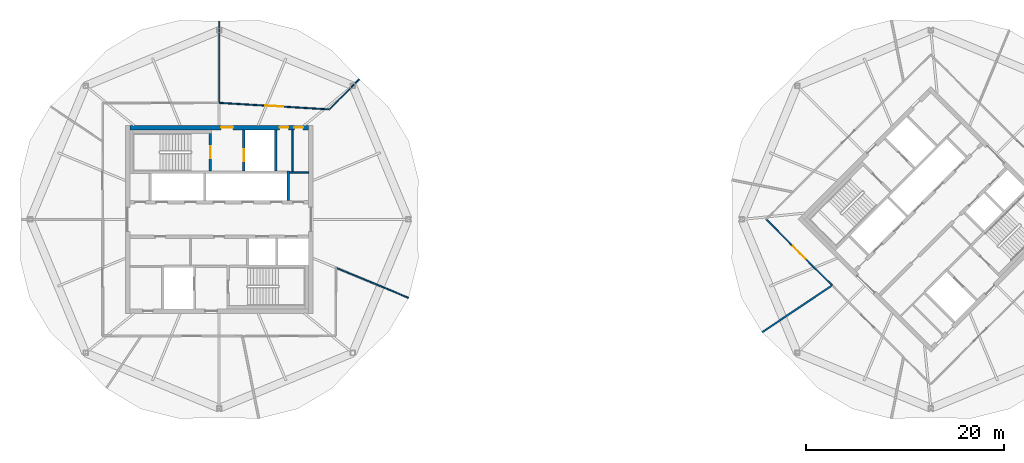
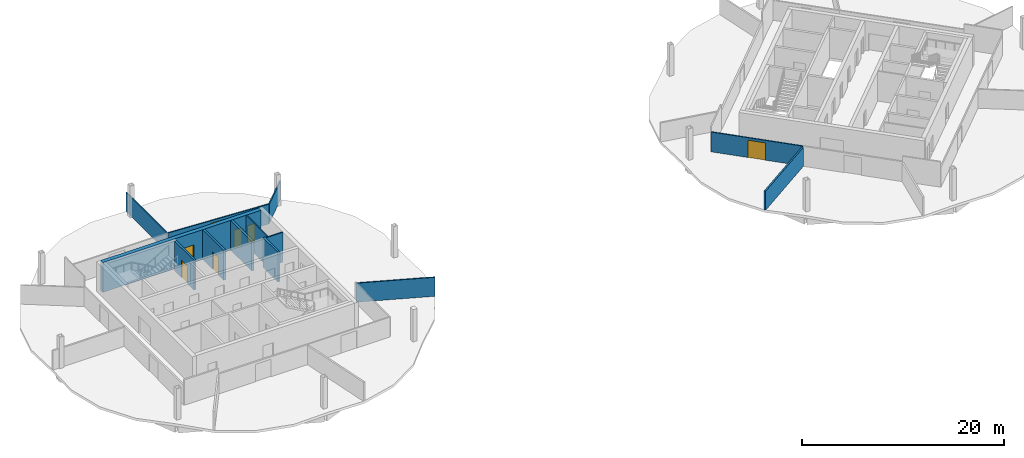
# One storey, part 6 of 10: 13 walls, 7 doors, 7 openings.
"""IFC4 building model written with IfcOpenShell, lengths in metres."""

from ifc_helpers import new_model, si_unit, direction, frame, frame_2d, origin, place, context, subcontext, project, spatial, rectangle, extrude, material, layer, layer_set, type_object, element, fill, save


model = new_model("IFC4")

# Units and contexts
model_context = context("Model", 3, precision=1e-05, world=origin(), true_north=direction((0.0, 1.0)))
body_context = subcontext(model_context, "Body", "Model", "MODEL_VIEW")
ifc_project = project(units=[si_unit("LENGTHUNIT", "METRE"), si_unit("AREAUNIT", "SQUARE_METRE"), si_unit("VOLUMEUNIT", "CUBIC_METRE"), si_unit("PLANEANGLEUNIT", "RADIAN"), si_unit("MASSUNIT", "GRAM", prefix="KILO")], contexts=[model_context])

# Site, building, storey
site_placement = place(None, origin())
site = spatial("IfcSite", under=ifc_project, at=site_placement, CompositionType="ELEMENT")
building_placement = place(site_placement, origin())
building = spatial("IfcBuilding", under=site, at=building_placement, Name="Ogive Gate Towers", CompositionType="ELEMENT")
storey_placement = place(building_placement, frame((0.0, 0.0, 236.699951171875)))
storey = spatial("IfcBuildingStorey", under=building, at=storey_placement, Name="L56", CompositionType="ELEMENT", Elevation=236.699951171875)

# Wall
ifc_material_1 = material(Name="Gypsum board acoustic partition")
ifc_layer_1 = layer(ifc_material_1, 0.175048828125)
ifc_layer_set_1 = layer_set([ifc_layer_1], Name="Acoustic partition 175")
wall_type_1 = type_object("IfcWallType", Name="Acoustic partition 175", PredefinedType="PARTITIONING", material=ifc_layer_set_1)
wall_1_placement = place(storey_placement, frame((18.918701171875, -11.424072265625, 0.0), z_axis=(0.0, 0.0, 1.0), x_axis=(0.831218279954, 0.555946194402, 0.0)))
element("IfcWall", 1, at=wall_1_placement, inside=storey, type_object=wall_type_1, Name="Partition T2-L56-005", PredefinedType="PARTITIONING", context=body_context, shape_type="SweptSolid", body=[
    extrude(rectangle(XDim=8.451416015625, YDim=0.175048828125, at=frame_2d((4.2255859375, 0.0))), origin(), (0.0, 0.0, 1.0), 2.300048828125),
])

# Wall, openings, doors
ifc_material_2 = material(Name="Concrete C60/75", Category="concrete")
ifc_layer_2 = layer(ifc_material_2, 0.449951171875)
ifc_layer_set_2 = layer_set([ifc_layer_2], Name="Core wall 450 mm")
wall_type_2 = type_object("IfcWallType", Name="Core wall 450 mm", PredefinedType="SHEAR", material=ifc_layer_set_2)
wall_2_placement = place(storey_placement, frame((-45.050048828125, 9.27490234375, 0.0), z_axis=(0.0, 0.0, 1.0), x_axis=(1.0, 0.0, 0.0)))
wall_2 = element("IfcWall", 2, at=wall_2_placement, inside=storey, type_object=wall_type_2, Name="T1 L56 Core wall 450 mm", PredefinedType="SHEAR", context=body_context, shape_type="SweptSolid", body=[
    extrude(rectangle(XDim=18.10009765625, YDim=0.449951171875, at=frame_2d((9.050048828125, 0.0))), origin(), (0.0, 0.0, 1.0), 3.60009765625),
])
opening_1_placement = place(wall_2_placement, frame((9.25, 0.0, 0.0)))
opening_1 = element("IfcOpeningElement", 3, at=opening_1_placement, cuts=wall_2, Name="Opening KD-T1-L56-18", PredefinedType="OPENING", context=body_context, shape_type="SweptSolid", body=[
    extrude(rectangle(XDim=1.199951171875, YDim=2.10009765625, at=frame_2d((0.60009765625, 1.050048828125))), frame((0.0, 0.23486328125, 0.0), z_axis=(0.0, -1.0, 0.0), x_axis=(1.0, 0.0, 0.0)), (0.0, 0.0, 1.0), 0.469970703125),
])
opening_2_placement = place(wall_2_placement, frame((15.14990234375, 0.0, 0.0)))
opening_2 = element("IfcOpeningElement", 4, at=opening_2_placement, cuts=wall_2, Name="Opening KD-T1-L56-20", PredefinedType="OPENING", context=body_context, shape_type="SweptSolid", body=[
    extrude(rectangle(XDim=0.89990234375, YDim=2.10009765625, at=frame_2d((0.449951171875, 1.050048828125))), frame((0.0, 0.23486328125, 0.0), z_axis=(0.0, -1.0, 0.0), x_axis=(1.0, 0.0, 0.0)), (0.0, 0.0, 1.0), 0.469970703125),
])
opening_3_placement = place(wall_2_placement, frame((16.64990234375, 0.0, 0.0)))
opening_3 = element("IfcOpeningElement", 5, at=opening_3_placement, cuts=wall_2, Name="Opening KD-T1-L56-21", PredefinedType="OPENING", context=body_context, shape_type="SweptSolid", body=[
    extrude(rectangle(XDim=0.89990234375, YDim=2.10009765625, at=frame_2d((0.449951171875, 1.050048828125))), frame((0.0, 0.23486328125, 0.0), z_axis=(0.0, -1.0, 0.0), x_axis=(1.0, 0.0, 0.0)), (0.0, 0.0, 1.0), 0.469970703125),
])
ifc_material_3 = material(Name="Timber door", Category="wood")
door_type_1 = type_object("IfcDoorType", Name="Core WC door 900 x 2100", OperationType="NOTDEFINED", PredefinedType="DOOR", material=ifc_material_3)
door_1_placement = place(opening_2_placement, origin())
door_1 = element("IfcDoor", 6, at=door_1_placement, inside=storey, type_object=door_type_1, Name="T1 L56 Core door", OperationType="SINGLE_SWING_LEFT", OverallHeight=2.10009765625, OverallWidth=0.89990234375, PredefinedType="DOOR", context=body_context, shape_type="SweptSolid", body=[
    extrude(rectangle(XDim=0.89990234375, YDim=2.10009765625, at=frame_2d((0.449951171875, 1.050048828125))), frame((0.0, 0.02490234375, 0.0), z_axis=(0.0, -1.0, 0.0), x_axis=(1.0, 0.0, 0.0)), (0.0, 0.0, 1.0), 0.050048828125),
])
fill(opening_2, door_1)
door_2_placement = place(opening_3_placement, origin())
door_2 = element("IfcDoor", 7, at=door_2_placement, inside=storey, type_object=door_type_1, Name="T1 L56 Core door", OperationType="SINGLE_SWING_RIGHT", OverallHeight=2.10009765625, OverallWidth=0.89990234375, PredefinedType="DOOR", context=body_context, shape_type="SweptSolid", body=[
    extrude(rectangle(XDim=0.89990234375, YDim=2.10009765625, at=frame_2d((0.449951171875, 1.050048828125))), frame((0.0, 0.02490234375, 0.0), z_axis=(0.0, -1.0, 0.0), x_axis=(1.0, 0.0, 0.0)), (0.0, 0.0, 1.0), 0.050048828125),
])
fill(opening_3, door_2)
ifc_material_4 = material(Name="Steel fire door", Category="steel")
door_type_2 = type_object("IfcDoorType", Name="Core door FD60S 1200 x 2100", OperationType="NOTDEFINED", PredefinedType="DOOR", material=ifc_material_4)
door_3_placement = place(opening_1_placement, origin())
door_3 = element("IfcDoor", 8, at=door_3_placement, inside=storey, type_object=door_type_2, Name="T1 L56 Fire-fighting lobby door", OperationType="SINGLE_SWING_LEFT", OverallHeight=2.10009765625, OverallWidth=1.199951171875, PredefinedType="DOOR", context=body_context, shape_type="SweptSolid", body=[
    extrude(rectangle(XDim=1.199951171875, YDim=2.10009765625, at=frame_2d((0.60009765625, 1.050048828125))), frame((0.0, 0.02490234375, 0.0), z_axis=(0.0, -1.0, 0.0), x_axis=(1.0, 0.0, 0.0)), (0.0, 0.0, 1.0), 0.050048828125),
])
fill(opening_1, door_3)

# Walls
ifc_material_5 = material(Name="Gypsum board partition")
ifc_layer_3 = layer(ifc_material_5, 0.125)
ifc_layer_set_3 = layer_set([ifc_layer_3], Name="Partition 125")
wall_type_3 = type_object("IfcWallType", Name="Partition 125", PredefinedType="PARTITIONING", material=ifc_layer_set_3)
wall_3_placement = place(storey_placement, frame((-21.8232421875, 14.1767578125, 0.0), z_axis=(0.0, 0.0, 1.0), x_axis=(-0.707106781187, -0.707106781187, 0.0)))
element("IfcWall", 9, at=wall_3_placement, inside=storey, type_object=wall_type_3, Name="Partition T1-L56-001", PredefinedType="PARTITIONING", context=body_context, shape_type="SweptSolid", body=[
    extrude(rectangle(XDim=4.246337890625, YDim=0.125, at=frame_2d((2.123046875, 0.0))), origin(), (0.0, 0.0, 1.0), 2.300048828125),
])
wall_4_placement = place(storey_placement, frame((-36.0, 20.049072265625, 0.0), z_axis=(0.0, 0.0, 1.0), x_axis=(0.0, -1.0, 0.0)))
element("IfcWall", 10, at=wall_4_placement, inside=storey, type_object=wall_type_3, Name="Partition T1-L56-002", PredefinedType="PARTITIONING", context=body_context, shape_type="SweptSolid", body=[
    extrude(rectangle(XDim=8.196533203125, YDim=0.125, at=frame_2d((4.09814453125, 0.0))), origin(), (0.0, 0.0, 1.0), 2.300048828125),
])
wall_5_placement = place(storey_placement, frame((-16.829345703125, -7.940673828125, 0.0), z_axis=(0.0, 0.0, 1.0), x_axis=(-0.923885322284, 0.382669454317, 0.0)))
element("IfcWall", 11, at=wall_5_placement, inside=storey, type_object=wall_type_3, Name="Partition T1-L56-007", PredefinedType="PARTITIONING", context=body_context, shape_type="SweptSolid", body=[
    extrude(rectangle(XDim=7.896484375, YDim=0.125, at=frame_2d((3.9482421875, 0.0))), origin(), (0.0, 0.0, 1.0), 2.300048828125),
])

# Wall, opening, door
wall_6_placement = place(storey_placement, frame((-24.8701171875, 11.1298828125, 0.0), z_axis=(0.0, 0.0, 1.0), x_axis=(-0.998245561238, 0.059209791998, 0.0)))
wall_6 = element("IfcWall", 12, at=wall_6_placement, inside=storey, type_object=wall_type_3, Name="Partition T1-L56-011", PredefinedType="PARTITIONING", context=body_context, shape_type="SweptSolid", body=[
    extrude(rectangle(XDim=11.1494140625, YDim=0.125, at=frame_2d((5.57470703125, 0.0))), origin(), (0.0, 0.0, 1.0), 2.400146484375),
])
opening_4_placement = place(wall_6_placement, frame((4.675048828125, 0.0, 0.0)))
opening_4 = element("IfcOpeningElement", 13, at=opening_4_placement, cuts=wall_6, Name="Opening T1-L56-D03", PredefinedType="OPENING", context=body_context, shape_type="SweptSolid", body=[
    extrude(rectangle(XDim=1.800048828125, YDim=2.10009765625, at=frame_2d((0.89990234375, 1.050048828125))), frame((0.0, 0.072509765625, 0.0), z_axis=(0.0, -1.0, 0.0), x_axis=(1.0, 0.0, 0.0)), (0.0, 0.0, 1.0), 0.14501953125),
])
door_type_3 = type_object("IfcDoorType", Name="Door pair 1800", OperationType="NOTDEFINED", PredefinedType="DOOR", material=ifc_material_3)
door_4_placement = place(opening_4_placement, origin())
door_4 = element("IfcDoor", 14, at=door_4_placement, inside=storey, type_object=door_type_3, Name="Door T1-L56-D03", OperationType="DOUBLE_DOOR_DOUBLE_SWING", OverallHeight=2.10009765625, OverallWidth=1.800048828125, PredefinedType="DOOR", context=body_context, shape_type="SweptSolid", body=[
    extrude(rectangle(XDim=1.800048828125, YDim=2.10009765625, at=frame_2d((0.89990234375, 1.050048828125))), frame((0.0, 0.02490234375, 0.0), z_axis=(0.0, -1.0, 0.0), x_axis=(1.0, 0.0, 0.0)), (0.0, 0.0, 1.0), 0.050048828125),
])
fill(opening_4, door_4)

wall_7_placement = place(storey_placement, frame((19.340576171875, 0.0, 0.0), z_axis=(0.0, 0.0, 1.0), x_axis=(0.707055065632, -0.707158492959, 0.0)))
wall_7 = element("IfcWall", 15, at=wall_7_placement, inside=storey, type_object=wall_type_3, Name="Partition T2-L56-008", PredefinedType="PARTITIONING", context=body_context, shape_type="SweptSolid", body=[
    extrude(rectangle(XDim=9.44189453125, YDim=0.125, at=frame_2d((4.720947265625, 0.0))), origin(), (0.0, 0.0, 1.0), 2.400146484375),
])
opening_5_placement = place(wall_7_placement, frame((3.821044921875, 0.0, 0.0)))
opening_5 = element("IfcOpeningElement", 16, at=opening_5_placement, cuts=wall_7, Name="Opening T2-L56-D01", PredefinedType="OPENING", context=body_context, shape_type="SweptSolid", body=[
    extrude(rectangle(XDim=1.800048828125, YDim=2.10009765625, at=frame_2d((0.89990234375, 1.050048828125))), frame((0.0, 0.072509765625, 0.0), z_axis=(0.0, -1.0, 0.0), x_axis=(1.0, 0.0, 0.0)), (0.0, 0.0, 1.0), 0.14501953125),
])
door_5_placement = place(opening_5_placement, origin())
door_5 = element("IfcDoor", 17, at=door_5_placement, inside=storey, type_object=door_type_3, Name="Door T2-L56-D01", OperationType="DOUBLE_DOOR_DOUBLE_SWING", OverallHeight=2.10009765625, OverallWidth=1.800048828125, PredefinedType="DOOR", context=body_context, shape_type="SweptSolid", body=[
    extrude(rectangle(XDim=1.800048828125, YDim=2.10009765625, at=frame_2d((0.89990234375, 1.050048828125))), frame((0.0, 0.02490234375, 0.0), z_axis=(0.0, -1.0, 0.0), x_axis=(1.0, 0.0, 0.0)), (0.0, 0.0, 1.0), 0.050048828125),
])
fill(opening_5, door_5)

# Walls
ifc_layer_4 = layer(ifc_material_5, 0.14990234375)
ifc_layer_set_4 = layer_set([ifc_layer_4], Name="Room partition 150 mm")
wall_type_4 = type_object("IfcWallType", Name="Room partition 150 mm", PredefinedType="PARTITIONING", material=ifc_layer_set_4)
wall_8_placement = place(storey_placement, frame((-28.875, 4.75, 0.0), z_axis=(0.0, 0.0, 1.0), x_axis=(1.0, 0.0, 0.0)))
element("IfcWall", 18, at=wall_8_placement, inside=storey, type_object=wall_type_4, Name="T1 L56 Room partition 150 mm", PredefinedType="PARTITIONING", context=body_context, shape_type="SweptSolid", body=[
    extrude(rectangle(XDim=1.925048828125, YDim=0.14990234375, at=frame_2d((0.96240234375, 0.0))), origin(), (0.0, 0.0, 1.0), 3.60009765625),
])
wall_9_placement = place(storey_placement, frame((-28.60009765625, 4.824951171875, 0.0), z_axis=(0.0, 0.0, 1.0), x_axis=(0.0, 1.0, 0.0)))
element("IfcWall", 19, at=wall_9_placement, inside=storey, type_object=wall_type_4, Name="T1 L56 Room partition 150 mm", PredefinedType="PARTITIONING", context=body_context, shape_type="SweptSolid", body=[
    extrude(rectangle(XDim=4.22509765625, YDim=0.14990234375, at=frame_2d((2.112548828125, 0.0))), origin(), (0.0, 0.0, 1.0), 3.60009765625),
])

# Wall, opening, door
ifc_layer_5 = layer(ifc_material_2, 0.25)
ifc_layer_set_5 = layer_set([ifc_layer_5], Name="Shaft wall 250 mm")
wall_type_5 = type_object("IfcWallType", Name="Shaft wall 250 mm", PredefinedType="SHEAR", material=ifc_layer_set_5)
wall_10_placement = place(storey_placement, frame((-36.89990234375, 4.875, 0.0), z_axis=(0.0, 0.0, 1.0), x_axis=(0.0, 1.0, 0.0)))
wall_10 = element("IfcWall", 20, at=wall_10_placement, inside=storey, type_object=wall_type_5, Name="T1 L56 Shaft wall 250 mm", PredefinedType="SHEAR", context=body_context, shape_type="SweptSolid", body=[
    extrude(rectangle(XDim=3.824951171875, YDim=0.25, at=frame_2d((1.91259765625, 0.0))), origin(), (0.0, 0.0, 1.0), 3.60009765625),
])
opening_6_placement = place(wall_10_placement, frame((1.324951171875, 0.0, 0.0)))
opening_6 = element("IfcOpeningElement", 21, at=opening_6_placement, cuts=wall_10, Name="Opening KD-T1-L56-16", PredefinedType="OPENING", context=body_context, shape_type="SweptSolid", body=[
    extrude(rectangle(XDim=1.199951171875, YDim=2.10009765625, at=frame_2d((0.60009765625, 1.050048828125))), frame((0.0, 0.135009765625, 0.0), z_axis=(0.0, -1.0, 0.0), x_axis=(1.0, 0.0, 0.0)), (0.0, 0.0, 1.0), 0.27001953125),
])
door_6_placement = place(opening_6_placement, origin())
door_6 = element("IfcDoor", 22, at=door_6_placement, inside=storey, type_object=door_type_2, Name="T1 L56 Stair door", OperationType="SINGLE_SWING_LEFT", OverallHeight=2.10009765625, OverallWidth=1.199951171875, PredefinedType="DOOR", context=body_context, shape_type="SweptSolid", body=[
    extrude(rectangle(XDim=1.199951171875, YDim=2.10009765625, at=frame_2d((0.60009765625, 1.050048828125))), frame((0.0, 0.02490234375, 0.0), z_axis=(0.0, -1.0, 0.0), x_axis=(1.0, 0.0, 0.0)), (0.0, 0.0, 1.0), 0.050048828125),
])
fill(opening_6, door_6)

wall_11_placement = place(storey_placement, frame((-33.5, 4.875, 0.0), z_axis=(0.0, 0.0, 1.0), x_axis=(0.0, 1.0, 0.0)))
wall_11 = element("IfcWall", 23, at=wall_11_placement, inside=storey, type_object=wall_type_5, Name="T1 L56 Shaft wall 250 mm", PredefinedType="SHEAR", context=body_context, shape_type="SweptSolid", body=[
    extrude(rectangle(XDim=4.175048828125, YDim=0.25, at=frame_2d((2.08740234375, 0.0))), origin(), (0.0, 0.0, 1.0), 3.60009765625),
])
opening_7_placement = place(wall_11_placement, frame((1.02490234375, 0.0, 0.0)))
opening_7 = element("IfcOpeningElement", 24, at=opening_7_placement, cuts=wall_11, Name="Opening LD-T1-L56-12", PredefinedType="OPENING", context=body_context, shape_type="SweptSolid", body=[
    extrude(rectangle(XDim=1.199951171875, YDim=2.10009765625, at=frame_2d((0.60009765625, 1.050048828125))), frame((0.0, 0.135009765625, 0.0), z_axis=(0.0, -1.0, 0.0), x_axis=(1.0, 0.0, 0.0)), (0.0, 0.0, 1.0), 0.27001953125),
])
ifc_material_6 = material(Name="Stainless steel landing door", Category="steel")
door_type_4 = type_object("IfcDoorType", Name="Landing door 1200 x 2100", OperationType="SLIDING_TO_LEFT", PredefinedType="DOOR", material=ifc_material_6)
door_7_placement = place(opening_7_placement, origin())
door_7 = element("IfcDoor", 25, at=door_7_placement, inside=storey, type_object=door_type_4, Name="T1 L56 Lift landing door FF1", OperationType="SLIDING_TO_LEFT", OverallHeight=2.10009765625, OverallWidth=1.199951171875, PredefinedType="DOOR", context=body_context, shape_type="SweptSolid", body=[
    extrude(rectangle(XDim=1.199951171875, YDim=2.10009765625, at=frame_2d((0.60009765625, 1.050048828125))), frame((0.0, 0.02490234375, 0.0), z_axis=(0.0, -1.0, 0.0), x_axis=(1.0, 0.0, 0.0)), (0.0, 0.0, 1.0), 0.050048828125),
])
fill(opening_7, door_7)

# Walls
wall_12_placement = place(storey_placement, frame((-30.300048828125, 4.875, 0.0), z_axis=(0.0, 0.0, 1.0), x_axis=(0.0, 1.0, 0.0)))
element("IfcWall", 26, at=wall_12_placement, inside=storey, type_object=wall_type_5, Name="T1 L56 Shaft wall 250 mm", PredefinedType="SHEAR", context=body_context, shape_type="SweptSolid", body=[
    extrude(rectangle(XDim=4.175048828125, YDim=0.25, at=frame_2d((2.08740234375, 0.0))), origin(), (0.0, 0.0, 1.0), 3.60009765625),
])
wall_13_placement = place(storey_placement, frame((-29.0, 1.925048828125, 0.0), z_axis=(0.0, 0.0, 1.0), x_axis=(0.0, 1.0, 0.0)))
element("IfcWall", 27, at=wall_13_placement, inside=storey, type_object=wall_type_5, Name="T1 L56 Shaft wall 250 mm", PredefinedType="SHEAR", context=body_context, shape_type="SweptSolid", body=[
    extrude(rectangle(XDim=2.949951171875, YDim=0.25, at=frame_2d((1.47509765625, 0.0))), origin(), (0.0, 0.0, 1.0), 3.60009765625),
])

save(model, "model.ifc")
